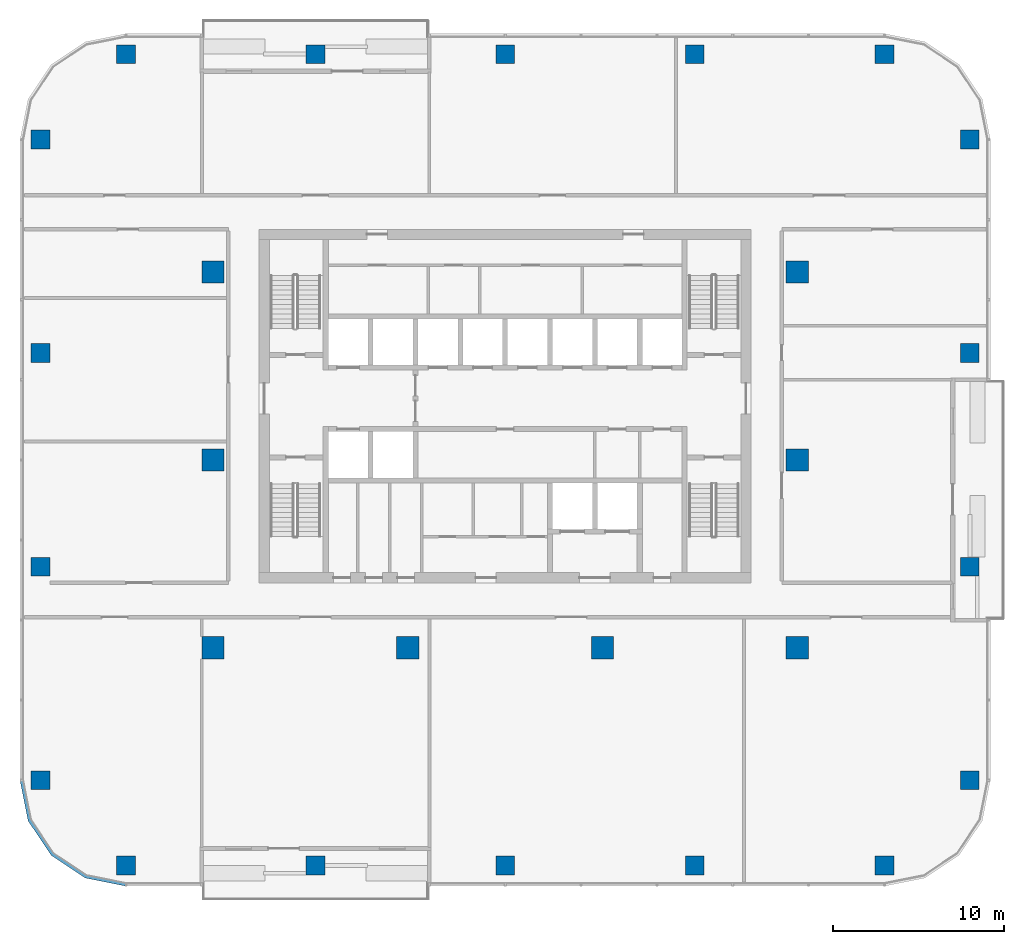
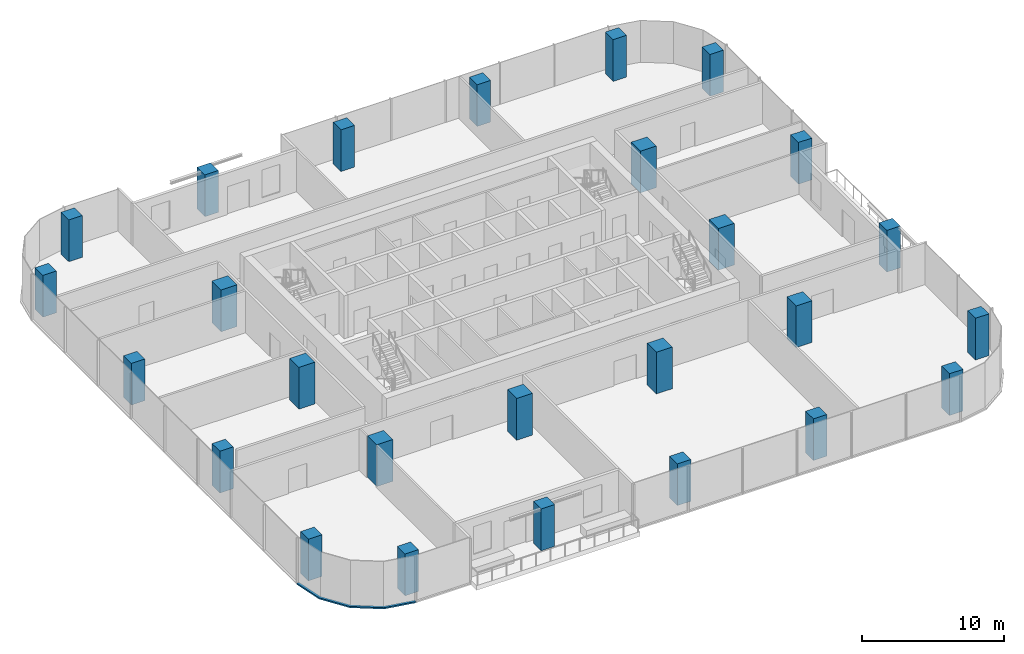
# One storey, part 1 of 14: 26 columns, 1 member, 1 element without a shape of its own.
"""IFC4 building model written with IfcOpenShell, lengths in metres."""

import ifcopenshell
import ifcopenshell.guid

model = None  # the IFC model being written
_history = None  # IfcOwnerHistory: only IFC2X3 demands one
_inside = {}  # id of a spatial element -> (the spatial element, [elements in it])
_under = {}  # id of a project, library or spatial element -> (it, [spatial elements below it])
_declared = {}  # id of a project -> (the project, [libraries it declares])
_typed = {}  # id of a type object -> (the type object, [elements of that type])
_made_of = {}  # id of a material, layer set ... -> (it, [elements and type objects made of it])


def new_model(schema):
    """Start an empty IFC model of exactly this schema.

    Asked for "IFC4X3", IfcOpenShell would pick the latest addendum, in which some entities
    have other attributes; the version numbers below select the first issue.
    IFC2X3 requires an IfcOwnerHistory on every rooted entity: one is made here for all.
    """
    global model, _history
    if schema == "IFC4X3":
        model = ifcopenshell.file(schema_version=(4, 3, 0, 0))
    else:
        model = ifcopenshell.file(schema=schema)
    _inside.clear()
    _under.clear()
    _declared.clear()
    _typed.clear()
    _made_of.clear()
    _history = None
    if model.schema == "IFC2X3":
        org = make("IfcOrganization", Name="unknown")
        user = make(
            "IfcPersonAndOrganization",
            ThePerson=make("IfcPerson", FamilyName="unknown"),
            TheOrganization=org,
        )
        app = make(
            "IfcApplication",
            ApplicationDeveloper=org,
            Version="unknown",
            ApplicationFullName="unknown",
            ApplicationIdentifier="unknown",
        )
        _history = make(
            "IfcOwnerHistory",
            OwningUser=user,
            OwningApplication=app,
            ChangeAction="ADDED",
            CreationDate=0,
        )
    return model


def make(cls, **values):
    """One entity of the class cls with the attributes given. An attribute that is None is left unset."""
    return model.create_entity(
        cls, **{name: value for name, value in values.items() if value is not None}
    )


def rooted(cls, **values):
    """An entity with a GlobalId (a new one), such as an element, a storey or a relation."""
    return make(cls, GlobalId=ifcopenshell.guid.new(), OwnerHistory=_history, **values)


def si_unit(unit_type, name, prefix=None):
    """IfcSIUnit, for example si_unit("LENGTHUNIT", "METRE", prefix="MILLI")."""
    return make("IfcSIUnit", UnitType=unit_type, Prefix=prefix, Name=name)


def assignment(units):
    """IfcUnitAssignment: the units of a project."""
    return None if units is None else make("IfcUnitAssignment", Units=units)


def point(xyz):
    """IfcCartesianPoint."""
    return None if xyz is None else make("IfcCartesianPoint", Coordinates=xyz)


def direction(xyz):
    """IfcDirection."""
    return None if xyz is None else make("IfcDirection", DirectionRatios=xyz)


def frame(location, z_axis=None, x_axis=None):
    """IfcAxis2Placement3D, a coordinate frame: its origin and axes. An axis left out is left unset."""
    return make(
        "IfcAxis2Placement3D",
        Location=point(location),
        Axis=direction(z_axis),
        RefDirection=direction(x_axis),
    )


def frame_2d(location, x_axis=None):
    """IfcAxis2Placement2D, a coordinate frame in the plane: its origin and x axis."""
    return make(
        "IfcAxis2Placement2D", Location=point(location), RefDirection=direction(x_axis)
    )


def origin():
    """The frame at (0, 0, 0) with its axes left unset."""
    return frame((0.0, 0.0, 0.0))


def origin_2d():
    """The frame at (0, 0) in the plane with its x axis left unset."""
    return frame_2d((0.0, 0.0))


def place(relative_to, where):
    """IfcLocalPlacement: puts the frame where relative to a parent placement (None: the world)."""
    return make(
        "IfcLocalPlacement", PlacementRelTo=relative_to, RelativePlacement=where
    )


def context(
    kind, dimensions, precision=None, world=None, true_north=None, identifier=None
):
    """IfcGeometricRepresentationContext, for example the 3D "Model" context."""
    return make(
        "IfcGeometricRepresentationContext",
        ContextIdentifier=identifier,
        ContextType=kind,
        CoordinateSpaceDimension=dimensions,
        Precision=precision,
        WorldCoordinateSystem=world,
        TrueNorth=true_north,
    )


def subcontext(parent, identifier, kind, view, scale=None):
    """IfcGeometricRepresentationSubContext, for example "Body" below "Model"."""
    return make(
        "IfcGeometricRepresentationSubContext",
        ContextIdentifier=identifier,
        ContextType=kind,
        ParentContext=parent,
        TargetScale=scale,
        TargetView=view,
    )


def project(units=None, contexts=None):
    """IfcProject with its units and contexts."""
    return rooted(
        "IfcProject",
        Name="project",
        RepresentationContexts=contexts,
        UnitsInContext=assignment(units),
    )


def spatial(cls, under=None, at=None, **own):
    """A site, building, storey or space (cls), placed at a placement, below another one or the project."""
    s = rooted(cls, ObjectPlacement=at, **own)
    if under is not None:
        _under.setdefault(under.id(), (under, []))[1].append(s)
    return s


def polyline(points):
    """IfcPolyline through the points."""
    return make("IfcPolyline", Points=[point(p) for p in points])


def profile(cls, at=None, kind="AREA", **sizes):
    """A parametric profile (cls). Its sizes go by their IFC names, for example OverallWidth=200.0."""
    return make(cls, ProfileType=kind, Position=at, **sizes)


def rectangle(**sizes):
    """IfcRectangleProfileDef."""
    return profile("IfcRectangleProfileDef", **sizes)


def outline(outer, holes=None, kind="AREA"):
    """IfcArbitraryClosedProfileDef: a profile drawn as a closed curve; with holes, ...WithVoids."""
    if holes is None:
        return make("IfcArbitraryClosedProfileDef", ProfileType=kind, OuterCurve=outer)
    return make(
        "IfcArbitraryProfileDefWithVoids",
        ProfileType=kind,
        OuterCurve=outer,
        InnerCurves=holes,
    )


def extrude(swept, where, along, depth):
    """IfcExtrudedAreaSolid: the profile swept, set in the frame where, extruded along a direction by depth."""
    return make(
        "IfcExtrudedAreaSolid",
        SweptArea=swept,
        Position=where,
        ExtrudedDirection=direction(along),
        Depth=depth,
    )


def shape(context_of_items, identifier, shape_type, items):
    """IfcShapeRepresentation: the items that make up one representation, for example the "Body"."""
    return make(
        "IfcShapeRepresentation",
        ContextOfItems=context_of_items,
        RepresentationIdentifier=identifier,
        RepresentationType=shape_type,
        Items=items,
    )


def material(Name=None, Category=None):
    """IfcMaterial."""
    return make("IfcMaterial", Name=Name, Category=Category)


def material_profile(
    of_material, cross_section, Name=None, Category=None, Priority=None
):
    """IfcMaterialProfile: a cross section and its material."""
    return make(
        "IfcMaterialProfile",
        Name=Name,
        Material=of_material,
        Profile=cross_section,
        Priority=Priority,
        Category=Category,
    )


def profile_set(profiles, Name=None, composite=None):
    """IfcMaterialProfileSet."""
    return make(
        "IfcMaterialProfileSet",
        Name=Name,
        MaterialProfiles=profiles,
        CompositeProfile=composite,
    )


def made_of(thing, what):
    """Note that an element or type object is made of a material, layer set ...; save() writes the relation."""
    if what is not None:
        _made_of.setdefault(what.id(), (what, []))[1].append(thing)
    return thing


def type_object(cls, material=None, **own):
    """A type object (cls), such as IfcWallType, which elements share."""
    return made_of(rooted(cls, **own), material)


def element(
    cls,
    number,
    at=None,
    inside=None,
    cuts=None,
    type_object=None,
    material=None,
    context=None,
    identifier="Body",
    shape_type=None,
    held_by="IfcProductDefinitionShape",
    body=None,
    shapes=None,
    **own,
):
    """One element of the class cls, such as IfcWall. Its Tag is "e" and its number.

    at: its placement. inside: the storey or other place that contains it. cuts: it is an
    opening in that element (IfcRelVoidsElement). A single representation is given by context,
    identifier, shape_type and body (its items); several are given by shapes. held_by: the class
    of the entity that holds the representations. save() writes the other relations.
    """
    e = rooted(cls, Tag="e%d" % number, ObjectPlacement=at, **own)
    if body is not None:
        shapes = [shape(context, identifier, shape_type, body)]
    if shapes is not None:
        e.Representation = make(held_by, Representations=shapes)
    if inside is not None:
        _inside.setdefault(inside.id(), (inside, []))[1].append(e)
    if cuts is not None:
        rooted(
            "IfcRelVoidsElement", RelatingBuildingElement=cuts, RelatedOpeningElement=e
        )
    if type_object is not None:
        _typed.setdefault(type_object.id(), (type_object, []))[1].append(e)
    return made_of(e, material)


def aggregate(whole, parts):
    """IfcRelAggregates: a whole, such as a stair, and the parts it consists of."""
    return rooted("IfcRelAggregates", RelatingObject=whole, RelatedObjects=parts)


def save(model, path):
    """Write the relations noted so far, then the file.

    IfcRelAggregates (storeys below a building ...), IfcRelContainedInSpatialStructure (elements
    in a storey), IfcRelDefinesByType, IfcRelAssociatesMaterial and IfcRelDeclares: one each for
    every whole, place, type object, material and project.
    """
    for whole, parts in _under.values():
        aggregate(whole, parts)
    for where, things in _inside.values():
        rooted(
            "IfcRelContainedInSpatialStructure",
            RelatedElements=things,
            RelatingStructure=where,
        )
    for kind, things in _typed.values():
        rooted("IfcRelDefinesByType", RelatedObjects=things, RelatingType=kind)
    for what, things in _made_of.values():
        rooted("IfcRelAssociatesMaterial", RelatedObjects=things, RelatingMaterial=what)
    for by, libraries in _declared.values():
        rooted("IfcRelDeclares", RelatingContext=by, RelatedDefinitions=libraries)
    model.write(path)


model = new_model("IFC4")

# Units and contexts
model_context = context("Model", 3, precision=1e-05, world=origin(), true_north=direction((0.0, 1.0)))
body_context = subcontext(model_context, "Body", "Model", "MODEL_VIEW")
ifc_project = project(units=[si_unit("LENGTHUNIT", "METRE"), si_unit("AREAUNIT", "SQUARE_METRE"), si_unit("VOLUMEUNIT", "CUBIC_METRE"), si_unit("PLANEANGLEUNIT", "RADIAN"), si_unit("MASSUNIT", "GRAM", prefix="KILO")], contexts=[model_context])

# Site, building, storey
site_placement = place(None, origin())
site = spatial("IfcSite", under=ifc_project, at=site_placement, CompositionType="ELEMENT")
building_placement = place(site_placement, origin())
building = spatial("IfcBuilding", under=site, at=building_placement, Name="Mopane Tessera Tower", CompositionType="ELEMENT")
storey_placement = place(building_placement, frame((0.0, 0.0, 227.0)))
storey = spatial("IfcBuildingStorey", under=building, at=storey_placement, Name="L48", CompositionType="ELEMENT", Elevation=227.0)

# Columns
ifc_material_1 = material(Name="Concrete C50/60", Category="concrete")
ifc_material_profile_1 = material_profile(ifc_material_1, rectangle(XDim=1.300048828125, YDim=1.300048828125, at=origin_2d()))
ifc_profile_set_1 = profile_set([ifc_material_profile_1], Name="Concrete C50/60")
column_type_1 = type_object("IfcColumnType", Name="Interior column 1300 x 1300 C50/60", PredefinedType="COLUMN", material=ifc_profile_set_1)
for number, where, z_axis, x_axis, name in (
    (1, (-17.10009765625, -11.0, 0.0), (0.0, 0.0, 1.0), (1.0, 0.0, 0.0), "Interior column I1A L48"),
    (2, (-17.10009765625, 0.0, 0.0), (0.0, 0.0, 1.0), (1.0, 0.0, 0.0), "Interior column I1B L48"),
    (3, (-17.10009765625, 11.0, 0.0), (0.0, 0.0, 1.0), (1.0, 0.0, 0.0), "Interior column I1C L48"),
    (4, (-5.699951171875, -11.0, 0.0), (0.0, 0.0, 1.0), (1.0, 0.0, 0.0), "Interior column I2A L48"),
    (5, (5.699951171875, -11.0, 0.0), (0.0, 0.0, 1.0), (1.0, 0.0, 0.0), "Interior column I3A L48"),
    (6, (17.10009765625, -11.0, 0.0), (0.0, 0.0, 1.0), (1.0, 0.0, 0.0), "Interior column I4A L48"),
    (7, (17.10009765625, 0.0, 0.0), (0.0, 0.0, 1.0), (1.0, 0.0, 0.0), "Interior column I4B L48"),
    (8, (17.10009765625, 11.0, 0.0), (0.0, 0.0, 1.0), (1.0, 0.0, 0.0), "Interior column I4C L48"),
):
    element("IfcColumn", number, at=place(storey_placement, frame(where, z_axis=z_axis, x_axis=x_axis)), inside=storey, type_object=column_type_1, Name=name, PredefinedType="COLUMN", context=body_context, shape_type="SweptSolid", body=[
        extrude(rectangle(XDim=1.300048828125, YDim=1.300048828125, at=origin_2d()), origin(), (0.0, 0.0, 1.0), 3.60009765625),
    ])
ifc_material_2 = material(Name="Concrete C50/60", Category="concrete")
ifc_material_profile_2 = material_profile(ifc_material_2, rectangle(XDim=1.10009765625, YDim=1.10009765625, at=origin_2d()))
ifc_profile_set_2 = profile_set([ifc_material_profile_2], Name="Concrete C50/60")
column_type_2 = type_object("IfcColumnType", Name="Ring column 1100 x 1100 C50/60", PredefinedType="COLUMN", material=ifc_profile_set_2)
for number, where, z_axis, x_axis, name in (
    (9, (-22.199951171875, -23.75, 0.0), (0.0, 0.0, 1.0), (1.0, 0.0, 0.0), "Ring column S0 L48"),
    (10, (-11.10009765625, -23.75, 0.0), (0.0, 0.0, 1.0), (1.0, 0.0, 0.0), "Ring column S1 L48"),
    (11, (0.0, -23.75, 0.0), (0.0, 0.0, 1.0), (1.0, 0.0, 0.0), "Ring column S2 L48"),
    (12, (11.10009765625, -23.75, 0.0), (0.0, 0.0, 1.0), (1.0, 0.0, 0.0), "Ring column S3 L48"),
    (13, (22.199951171875, -23.75, 0.0), (0.0, 0.0, 1.0), (1.0, 0.0, 0.0), "Ring column S4 L48"),
    (14, (27.199951171875, -18.75, 0.0), (0.0, 0.0, 1.0), (1.0, 0.0, 0.0), "Ring column E0 L48"),
    (15, (27.199951171875, -6.25, 0.0), (0.0, 0.0, 1.0), (1.0, 0.0, 0.0), "Ring column E1 L48"),
    (16, (27.199951171875, 6.25, 0.0), (0.0, 0.0, 1.0), (1.0, 0.0, 0.0), "Ring column E2 L48"),
    (17, (27.199951171875, 18.75, 0.0), (0.0, 0.0, 1.0), (1.0, 0.0, 0.0), "Ring column E3 L48"),
    (18, (22.199951171875, 23.75, 0.0), (0.0, 0.0, 1.0), (1.0, 0.0, 0.0), "Ring column N0 L48"),
    (19, (11.10009765625, 23.75, 0.0), (0.0, 0.0, 1.0), (1.0, 0.0, 0.0), "Ring column N1 L48"),
    (20, (0.0, 23.75, 0.0), (0.0, 0.0, 1.0), (1.0, 0.0, 0.0), "Ring column N2 L48"),
    (21, (-11.10009765625, 23.75, 0.0), (0.0, 0.0, 1.0), (1.0, 0.0, 0.0), "Ring column N3 L48"),
    (22, (-22.199951171875, 23.75, 0.0), (0.0, 0.0, 1.0), (1.0, 0.0, 0.0), "Ring column N4 L48"),
    (23, (-27.199951171875, 18.75, 0.0), (0.0, 0.0, 1.0), (1.0, 0.0, 0.0), "Ring column W0 L48"),
    (24, (-27.199951171875, 6.25, 0.0), (0.0, 0.0, 1.0), (1.0, 0.0, 0.0), "Ring column W1 L48"),
    (25, (-27.199951171875, -6.25, 0.0), (0.0, 0.0, 1.0), (1.0, 0.0, 0.0), "Ring column W2 L48"),
    (26, (-27.199951171875, -18.75, 0.0), (0.0, 0.0, 1.0), (1.0, 0.0, 0.0), "Ring column W3 L48"),
):
    element("IfcColumn", number, at=place(storey_placement, frame(where, z_axis=z_axis, x_axis=x_axis)), inside=storey, type_object=column_type_2, Name=name, PredefinedType="COLUMN", context=body_context, shape_type="SweptSolid", body=[
        extrude(rectangle(XDim=1.10009765625, YDim=1.10009765625, at=origin_2d()), origin(), (0.0, 0.0, 1.0), 3.60009765625),
    ])

# Curtain wall, member
ifc_material_3 = material(Name="Aluminium frame", Category="aluminium")
curtain_wall_type = type_object("IfcCurtainWallType", Name="Unitised curtain wall", PredefinedType="NOTDEFINED", material=ifc_material_3)
curtain_wall_placement = place(storey_placement, origin())
curtain_wall = element("IfcCurtainWall", 27, at=curtain_wall_placement, inside=storey, type_object=curtain_wall_type, Name="e:cw:L48:CW", PredefinedType="NOTDEFINED")
ifc_material_4 = material(Name="Aluminium frame", Category="aluminium")
ifc_material_profile_3 = material_profile(ifc_material_4, rectangle(XDim=0.199951171875, YDim=0.1201171875, at=origin_2d()))
ifc_profile_set_3 = profile_set([ifc_material_profile_3], Name="Aluminium frame")
member_type = type_object("IfcMemberType", Name="Aluminium transom 200 x 120", PredefinedType="USERDEFINED", material=ifc_profile_set_3)
member_placement = place(storey_placement, frame((0.0, 0.0, -0.39990234375)))
member = element("IfcMember", 28, at=member_placement, type_object=member_type, Name="e:cw:L48:CW:tr", ObjectType="TRANSOM", PredefinedType="USERDEFINED", context=body_context, shape_type="SweptSolid", body=[
    extrude(outline(polyline([(-28.199951171875, -18.75), (-27.7431640625, -21.046142578125), (-26.442626953125, -22.99267578125), (-24.49609375, -24.293212890625), (-22.199951171875, -24.75), (-22.199951171875, -24.949951171875), (-24.57275390625, -24.47802734375), (-26.583984375, -23.134033203125), (-27.927978515625, -21.12255859375), (-28.39990234375, -18.75), (-28.199951171875, -18.75)])), origin(), (0.0, 0.0, 1.0), 0.119873046875),
])
aggregate(curtain_wall, [member])

save(model, "model.ifc")
